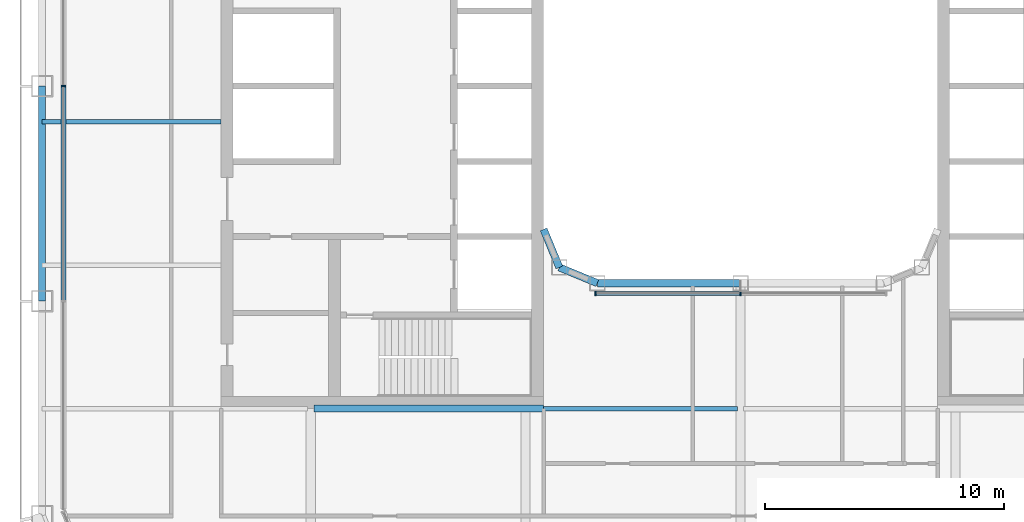
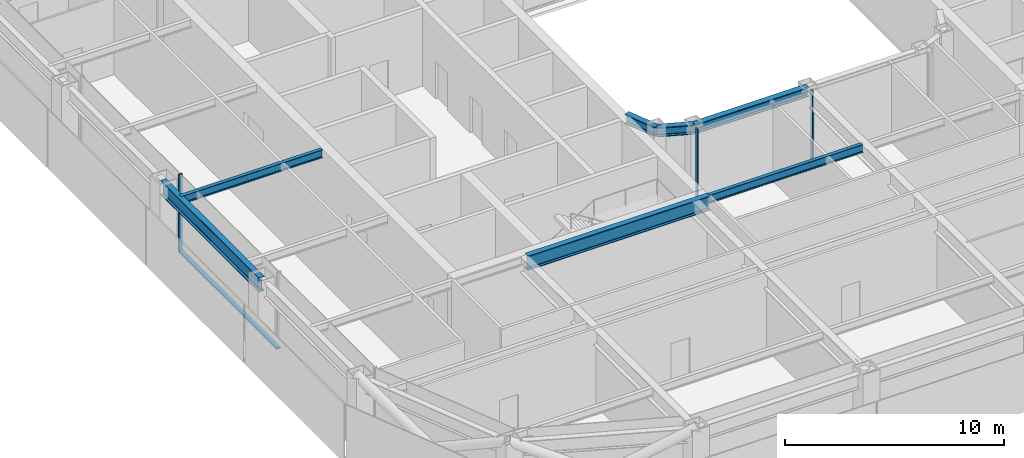
# One storey, part 3 of 21: 7 beams, 5 members, 2 elements without a shape of their own.
"""IFC4 building model written with IfcOpenShell, lengths in metres."""

from ifc_helpers import new_model, si_unit, direction, frame, origin, origin_2d, place, context, subcontext, project, spatial, rectangle, i_section, extrude, material, layer, layer_set, material_profile, profile_set, type_object, element, aggregate, save


model = new_model("IFC4")

# Units and contexts
model_context = context("Model", 3, precision=1e-05, world=origin(), true_north=direction((0.0, 1.0)))
body_context = subcontext(model_context, "Body", "Model", "MODEL_VIEW")
ifc_project = project(units=[si_unit("LENGTHUNIT", "METRE"), si_unit("AREAUNIT", "SQUARE_METRE"), si_unit("VOLUMEUNIT", "CUBIC_METRE"), si_unit("PLANEANGLEUNIT", "RADIAN"), si_unit("MASSUNIT", "GRAM", prefix="KILO")], contexts=[model_context])

# Site, building, storey
site_placement = place(None, origin())
site = spatial("IfcSite", under=ifc_project, at=site_placement, CompositionType="ELEMENT")
building_placement = place(site_placement, origin())
building = spatial("IfcBuilding", under=site, at=building_placement, Name="Siwar Civic Tower", CompositionType="ELEMENT")
storey_placement = place(building_placement, frame((0.0, 0.0, 158.699951171875)))
storey = spatial("IfcBuildingStorey", under=building, at=storey_placement, Name="L34", CompositionType="ELEMENT", Elevation=158.699951171875)

# Curtain wall, member
ifc_material_1 = material(Name="Aluminium and glass", Category="aluminium")
ifc_layer_1 = layer(ifc_material_1, 0.199951171875)
ifc_layer_set_1 = layer_set([ifc_layer_1], Name="Aluminium and glass")
curtain_wall_type_1 = type_object("IfcCurtainWallType", Name="ENV-CW-B", PredefinedType="NOTDEFINED", material=ifc_layer_set_1)
curtain_wall_1_placement = place(storey_placement, origin())
curtain_wall_1 = element("IfcCurtainWall", 1, at=curtain_wall_1_placement, inside=storey, type_object=curtain_wall_type_1, Name="Curtain wall B W", PredefinedType="NOTDEFINED")
ifc_material_2 = material(Name="Aluminium 6063-T6", Category="aluminium")
ifc_material_profile_1 = material_profile(ifc_material_2, rectangle(XDim=0.199951171875, YDim=0.06494140625, at=origin_2d()), Name="AL 200x65")
ifc_profile_set_1 = profile_set([ifc_material_profile_1], Name="Aluminium 6063-T6")
member_type_1 = type_object("IfcMemberType", Name="ENV-MULLION-B", PredefinedType="MULLION", material=ifc_profile_set_1)
member_1_placement = place(storey_placement, frame((-28.35009765625, 0.0, 0.0), z_axis=(0.0, 0.0, 1.0), x_axis=(1.0, 0.0, 0.0)))
member_1 = element("IfcMember", 2, at=member_1_placement, type_object=member_type_1, Name="Mullion B W 3", PredefinedType="MULLION", context=body_context, shape_type="SweptSolid", body=[
    extrude(rectangle(XDim=0.199951171875, YDim=0.06494140625, at=origin_2d()), origin(), (0.0, 0.0, 1.0), 4.35009765625),
])

# Curtain wall, members
ifc_material_3 = material(Name="Aluminium and glass", Category="aluminium")
ifc_layer_2 = layer(ifc_material_3, 0.179931640625)
ifc_layer_set_2 = layer_set([ifc_layer_2], Name="Aluminium and glass")
curtain_wall_type_2 = type_object("IfcCurtainWallType", Name="ENV-CW-W", PredefinedType="NOTDEFINED", material=ifc_layer_set_2)
curtain_wall_2_placement = place(storey_placement, origin())
curtain_wall_2 = element("IfcCurtainWall", 3, at=curtain_wall_2_placement, inside=storey, type_object=curtain_wall_type_2, Name="Curtain wall W WS", PredefinedType="NOTDEFINED")
ifc_material_4 = material(Name="Aluminium 6063-T6", Category="aluminium")
ifc_material_profile_2 = material_profile(ifc_material_4, rectangle(XDim=0.179931640625, YDim=0.06005859375, at=origin_2d()), Name="AL 180x60")
ifc_profile_set_2 = profile_set([ifc_material_profile_2], Name="Aluminium 6063-T6")
member_type_2 = type_object("IfcMemberType", Name="ENV-MULLION-W", PredefinedType="MULLION", material=ifc_profile_set_2)
member_2_placement = place(storey_placement, frame((-6.08642578125, -8.68505859375, 0.0), z_axis=(0.0, 0.0, 1.0), x_axis=(0.0, 1.0, 0.0)))
member_2 = element("IfcMember", 4, at=member_2_placement, type_object=member_type_2, Name="Mullion W WS 1", PredefinedType="MULLION", context=body_context, shape_type="SweptSolid", body=[
    extrude(rectangle(XDim=0.179931640625, YDim=0.06005859375, at=origin_2d()), origin(), (0.0, 0.0, 1.0), 4.35009765625),
])
member_3_placement = place(storey_placement, frame((0.0, -8.68505859375, 0.0), z_axis=(0.0, 0.0, 1.0), x_axis=(0.0, 1.0, 0.0)))
member_3 = element("IfcMember", 5, at=member_3_placement, type_object=member_type_2, Name="Mullion W WS 2", PredefinedType="MULLION", context=body_context, shape_type="SweptSolid", body=[
    extrude(rectangle(XDim=0.179931640625, YDim=0.06005859375, at=origin_2d()), origin(), (0.0, 0.0, 1.0), 4.35009765625),
])

# Member
ifc_material_5 = material(Name="Aluminium 6063-T6", Category="aluminium")
ifc_material_profile_3 = material_profile(ifc_material_5, rectangle(XDim=0.199951171875, YDim=0.110107421875, at=origin_2d()), Name="AL 200x110")
ifc_profile_set_3 = profile_set([ifc_material_profile_3], Name="Aluminium 6063-T6")
member_type_3 = type_object("IfcMemberType", Name="ENV-TRANSOM-B", PredefinedType="USERDEFINED", material=ifc_profile_set_3)
member_4_placement = place(storey_placement, frame((-28.35009765625, -0.032470703125, 0.054931640625), z_axis=(0.0, -1.0, 0.0), x_axis=(1.0, 0.0, 0.0)))
member_4 = element("IfcMember", 6, at=member_4_placement, type_object=member_type_3, Name="Transom B W 3", ObjectType="TRANSOM", PredefinedType="USERDEFINED", context=body_context, shape_type="SweptSolid", body=[
    extrude(rectangle(XDim=0.199951171875, YDim=0.110107421875, at=origin_2d()), origin(), (0.0, 0.0, 1.0), 8.93505859375),
])

aggregate(curtain_wall_1, [member_1, member_4])

ifc_material_6 = material(Name="Aluminium 6063-T6", Category="aluminium")
ifc_material_profile_4 = material_profile(ifc_material_6, rectangle(XDim=0.179931640625, YDim=0.10009765625, at=origin_2d()), Name="AL 180x100")
ifc_profile_set_4 = profile_set([ifc_material_profile_4], Name="Aluminium 6063-T6")
member_type_4 = type_object("IfcMemberType", Name="ENV-TRANSOM-W", PredefinedType="USERDEFINED", material=ifc_profile_set_4)
member_5_placement = place(storey_placement, frame((-6.056640625, -8.68505859375, 0.050048828125), z_axis=(1.0, 0.0, 0.0), x_axis=(0.0, 1.0, 0.0)))
member_5 = element("IfcMember", 7, at=member_5_placement, type_object=member_type_4, Name="Transom W WS 1", ObjectType="TRANSOM", PredefinedType="USERDEFINED", context=body_context, shape_type="SweptSolid", body=[
    extrude(rectangle(XDim=0.179931640625, YDim=0.10009765625, at=origin_2d()), origin(), (0.0, 0.0, 1.0), 6.026611328125),
])

aggregate(curtain_wall_2, [member_2, member_3, member_5])

# Beams
ifc_material_7 = material(Name="Steel S355", Category="steel")
ifc_material_profile_5 = material_profile(ifc_material_7, i_section(OverallWidth=0.18994140625, OverallDepth=0.449951171875, WebThickness=0.009521484375, FlangeThickness=0.0146484375, FilletRadius=0.02099609375, at=origin_2d()), Name="IPE450")
ifc_profile_set_5 = profile_set([ifc_material_profile_5], Name="Steel S355")
beam_type_1 = type_object("IfcBeamType", Name="STR-FB-IPE450", PredefinedType="JOIST", material=ifc_profile_set_5)
beam_1_placement = place(storey_placement, frame((-8.25, -13.5, 4.125), z_axis=(1.0, 0.0, 0.0), x_axis=(0.0, 1.0, 0.0)))
element("IfcBeam", 8, at=beam_1_placement, inside=storey, type_object=beam_type_1, Name="L34/bm/F016", PredefinedType="JOIST", context=body_context, shape_type="SweptSolid", body=[
    extrude(i_section(OverallWidth=0.18994140625, OverallDepth=0.449951171875, WebThickness=0.009521484375, FlangeThickness=0.0146484375, FilletRadius=0.02099609375, at=origin_2d()), origin(), (0.0, 0.0, 1.0), 8.1201171875),
])
beam_2_placement = place(storey_placement, frame((-29.25, -1.5, 4.125), z_axis=(1.0, 0.0, 0.0), x_axis=(0.0, 1.0, 0.0)))
element("IfcBeam", 9, at=beam_2_placement, inside=storey, type_object=beam_type_1, Name="L34/bm/F023", PredefinedType="JOIST", context=body_context, shape_type="SweptSolid", body=[
    extrude(i_section(OverallWidth=0.18994140625, OverallDepth=0.449951171875, WebThickness=0.009521484375, FlangeThickness=0.0146484375, FilletRadius=0.02099609375, at=origin_2d()), origin(), (0.0, 0.0, 1.0), 7.5),
])
ifc_material_8 = material(Name="Steel S355", Category="steel")
ifc_material_profile_6 = material_profile(ifc_material_8, i_section(OverallWidth=0.300048828125, OverallDepth=0.800048828125, WebThickness=0.017578125, FlangeThickness=0.032958984375, FilletRadius=0.030029296875, at=origin_2d()), Name="HEB800")
ifc_profile_set_6 = profile_set([ifc_material_profile_6], Name="Steel S355")
beam_type_2 = type_object("IfcBeamType", Name="STR-PG-HEB800", PredefinedType="BEAM", material=ifc_profile_set_6)
beam_3_placement = place(storey_placement, frame((-17.8701171875, -13.5, 3.949951171875), z_axis=(1.0, 0.0, 0.0), x_axis=(0.0, 1.0, 0.0)))
element("IfcBeam", 10, at=beam_3_placement, inside=storey, type_object=beam_type_2, Name="L34/bm/F015", PredefinedType="BEAM", context=body_context, shape_type="SweptSolid", body=[
    extrude(i_section(OverallWidth=0.300048828125, OverallDepth=0.800048828125, WebThickness=0.017578125, FlangeThickness=0.032958984375, FilletRadius=0.030029296875, at=origin_2d()), origin(), (0.0, 0.0, 1.0), 9.6201171875),
])
ifc_material_9 = material(Name="Steel S355", Category="steel")
ifc_material_profile_7 = material_profile(ifc_material_9, i_section(OverallWidth=0.305908203125, OverallDepth=0.52392578125, WebThickness=0.02099609375, FlangeThickness=0.0400390625, FilletRadius=0.027099609375, at=origin_2d()), Name="HEM500")
ifc_profile_set_7 = profile_set([ifc_material_profile_7], Name="Steel S355")
beam_type_3 = type_object("IfcBeamType", Name="STR-RB-HEM500", PredefinedType="BEAM", material=ifc_profile_set_7)
beam_4_placement = place(storey_placement, frame((-7.591064453125, -7.591064453125, 4.088134765625), z_axis=(0.923901072997, -0.382631424892, 0.0), x_axis=(0.382631424892, 0.923901072997, 0.0)))
element("IfcBeam", 11, at=beam_4_placement, inside=storey, type_object=beam_type_3, Name="L34/bm/RS0", PredefinedType="BEAM", context=body_context, shape_type="SweptSolid", body=[
    extrude(i_section(OverallWidth=0.305908203125, OverallDepth=0.52392578125, WebThickness=0.02099609375, FlangeThickness=0.0400390625, FilletRadius=0.027099609375, at=origin_2d()), origin(), (0.0, 0.0, 1.0), 1.72216796875),
])
beam_5_placement = place(storey_placement, frame((-6.0, -8.25, 4.088134765625), z_axis=(1.0, 0.0, 0.0), x_axis=(0.0, 1.0, 0.0)))
element("IfcBeam", 12, at=beam_5_placement, inside=storey, type_object=beam_type_3, Name="L34/bm/RS1", PredefinedType="BEAM", context=body_context, shape_type="SweptSolid", body=[
    extrude(i_section(OverallWidth=0.305908203125, OverallDepth=0.52392578125, WebThickness=0.02099609375, FlangeThickness=0.0400390625, FilletRadius=0.027099609375, at=origin_2d()), origin(), (0.0, 0.0, 1.0), 6.0),
])
beam_6_placement = place(storey_placement, frame((-7.591064453125, -7.591064453125, 4.088134765625), z_axis=(-0.382631424892, 0.923901072997, 0.0), x_axis=(-0.923901072997, -0.382631424892, 0.0)))
element("IfcBeam", 13, at=beam_6_placement, inside=storey, type_object=beam_type_3, Name="L34/bm/RSEW", PredefinedType="BEAM", context=body_context, shape_type="SweptSolid", body=[
    extrude(i_section(OverallWidth=0.305908203125, OverallDepth=0.52392578125, WebThickness=0.02099609375, FlangeThickness=0.0400390625, FilletRadius=0.027099609375, at=origin_2d()), origin(), (0.0, 0.0, 1.0), 1.72216796875),
])
ifc_material_10 = material(Name="Steel S355", Category="steel")
ifc_material_profile_8 = material_profile(ifc_material_10, i_section(OverallWidth=0.300048828125, OverallDepth=0.800048828125, WebThickness=0.017578125, FlangeThickness=0.032958984375, FilletRadius=0.030029296875, at=origin_2d()), Name="HEB800")
ifc_profile_set_8 = profile_set([ifc_material_profile_8], Name="Steel S355")
beam_type_4 = type_object("IfcBeamType", Name="STR-SB-HEB800", PredefinedType="BEAM", material=ifc_profile_set_8)
beam_7_placement = place(storey_placement, frame((-29.25, 0.0, 3.949951171875), z_axis=(0.0, -1.0, 0.0), x_axis=(1.0, 0.0, 0.0)))
element("IfcBeam", 14, at=beam_7_placement, inside=storey, type_object=beam_type_4, Name="L34/bm/SW-2", PredefinedType="BEAM", context=body_context, shape_type="SweptSolid", body=[
    extrude(i_section(OverallWidth=0.300048828125, OverallDepth=0.800048828125, WebThickness=0.017578125, FlangeThickness=0.032958984375, FilletRadius=0.030029296875, at=origin_2d()), origin(), (0.0, 0.0, 1.0), 9.0),
])

save(model, "model.ifc")
